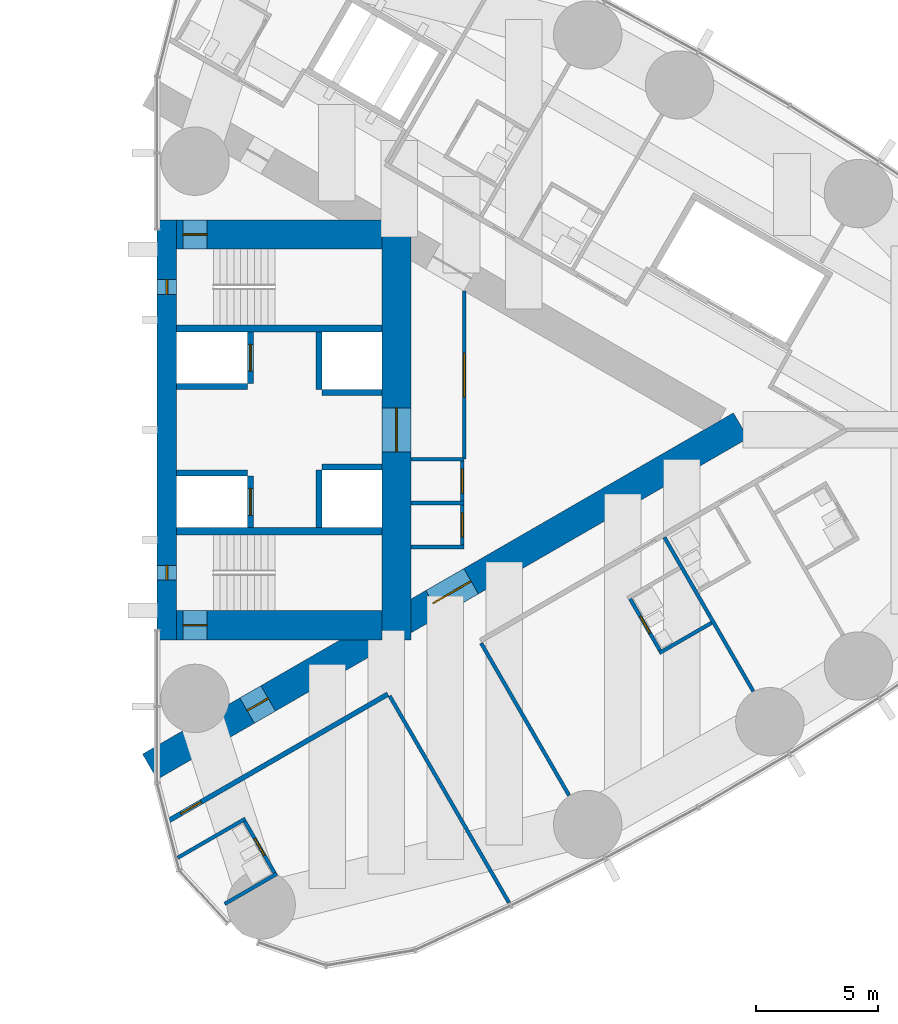
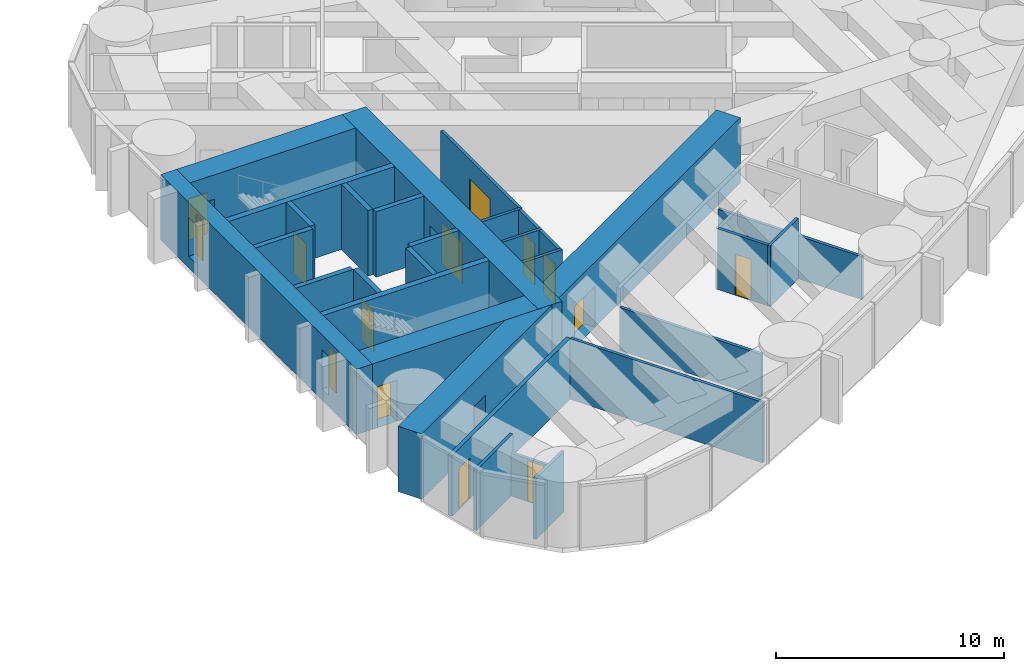
# One storey, part 14 of 19: 30 walls, 13 doors, 2 windows, 15 openings.
"""IFC4 building model written with IfcOpenShell, lengths in metres."""

from ifc_helpers import new_model, si_unit, direction, frame, frame_2d, origin, place, context, subcontext, project, spatial, rectangle, extrude, material, layer, layer_set, type_object, element, fill, save


model = new_model("IFC4")

# Units and contexts
model_context = context("Model", 3, precision=1e-05, world=origin(), true_north=direction((0.0, 1.0)))
body_context = subcontext(model_context, "Body", "Model", "MODEL_VIEW")
ifc_project = project(units=[si_unit("LENGTHUNIT", "METRE"), si_unit("AREAUNIT", "SQUARE_METRE"), si_unit("VOLUMEUNIT", "CUBIC_METRE"), si_unit("PLANEANGLEUNIT", "RADIAN"), si_unit("MASSUNIT", "GRAM", prefix="KILO")], contexts=[model_context])

# Site, building, storey
site_placement = place(None, origin())
site = spatial("IfcSite", under=ifc_project, at=site_placement, CompositionType="ELEMENT")
building_placement = place(site_placement, origin())
building = spatial("IfcBuilding", under=site, at=building_placement, Name="Lancet Gate Hotel", CompositionType="ELEMENT")
storey_placement = place(building_placement, frame((0.0, 0.0, 159.800048828125)))
storey = spatial("IfcBuildingStorey", under=building, at=storey_placement, Name="L42", CompositionType="ELEMENT", Elevation=159.800048828125)

# Wall
ifc_material_1 = material(Name="Moisture resistant board partition")
ifc_layer_1 = layer(ifc_material_1, 0.14990234375)
ifc_layer_set_1 = layer_set([ifc_layer_1], Name="Bathroom wall 150")
wall_type_1 = type_object("IfcWallType", Name="Bathroom wall 150", PredefinedType="PARTITIONING", material=ifc_layer_set_1)
wall_1_placement = place(storey_placement, frame((30.269287109375, -19.41796875, 0.0), z_axis=(0.0, 0.0, 1.0), x_axis=(0.866006523861, 0.500032699561, 0.0)))
element("IfcWall", 1, at=wall_1_placement, inside=storey, type_object=wall_type_1, Name="T2 bathroom wall 150 L42", PredefinedType="PARTITIONING", context=body_context, shape_type="SweptSolid", body=[
    extrude(rectangle(XDim=2.474853515625, YDim=0.14990234375, at=frame_2d((1.2373046875, 0.0))), origin(), (0.0, 0.0, 1.0), 3.25),
])

# Wall, opening, door
wall_2_placement = place(storey_placement, frame((31.0478515625, -15.96630859375, 0.0), z_axis=(0.0, 0.0, 1.0), x_axis=(0.499936506574, -0.866062058628, 0.0)))
wall_2 = element("IfcWall", 2, at=wall_2_placement, inside=storey, type_object=wall_type_1, Name="T2 bathroom wall 150 L42", PredefinedType="PARTITIONING", context=body_context, shape_type="SweptSolid", body=[
    extrude(rectangle(XDim=2.599853515625, YDim=0.14990234375, at=frame_2d((1.2998046875, 0.0))), origin(), (0.0, 0.0, 1.0), 2.300048828125),
])
opening_1_placement = place(wall_2_placement, frame((0.89990234375, 0.0, 0.0)))
opening_1 = element("IfcOpeningElement", 3, at=opening_1_placement, cuts=wall_2, Name="Opening 4251-B", PredefinedType="OPENING", context=body_context, shape_type="SweptSolid", body=[
    extrude(rectangle(XDim=0.800048828125, YDim=2.199951171875, at=frame_2d((0.39990234375, 1.10009765625))), frame((0.0, 0.0849609375, 0.0), z_axis=(0.0, -1.0, 0.0), x_axis=(1.0, 0.0, 0.0)), (0.0, 0.0, 1.0), 0.169921875),
])
ifc_material_2 = material(Name="Timber door set", Category="wood")
door_type_1 = type_object("IfcDoorType", Name="Bathroom door 800", OperationType="SINGLE_SWING_RIGHT", PredefinedType="DOOR", material=ifc_material_2)
door_1_placement = place(opening_1_placement, origin())
door_1 = element("IfcDoor", 4, at=door_1_placement, inside=storey, type_object=door_type_1, Name="4251-B", OperationType="SINGLE_SWING_RIGHT", OverallHeight=2.199951171875, OverallWidth=0.800048828125, PredefinedType="DOOR", context=body_context, shape_type="SweptSolid", body=[
    extrude(rectangle(XDim=0.800048828125, YDim=2.199951171875, at=frame_2d((0.39990234375, 1.10009765625))), frame((0.0, 0.02490234375, 0.0), z_axis=(0.0, -1.0, 0.0), x_axis=(1.0, 0.0, 0.0)), (0.0, 0.0, 1.0), 0.050048828125),
])
fill(opening_1, door_1)

# Walls
wall_3_placement = place(storey_placement, frame((28.34326171875, -17.52783203125, 0.0), z_axis=(0.0, 0.0, 1.0), x_axis=(0.86600760081, 0.500030834389, 0.0)))
element("IfcWall", 5, at=wall_3_placement, inside=storey, type_object=wall_type_1, Name="T2 bathroom wall 150 L42", PredefinedType="PARTITIONING", context=body_context, shape_type="SweptSolid", body=[
    extrude(rectangle(XDim=3.197998046875, YDim=0.14990234375, at=frame_2d((1.59912109375, 0.0))), origin(), (0.0, 0.0, 1.0), 3.25),
])
wall_4_placement = place(storey_placement, frame((48.06640625, -9.142822265625, 0.0), z_axis=(0.0, 0.0, 1.0), x_axis=(0.866006523861, 0.500032699561, 0.0)))
element("IfcWall", 6, at=wall_4_placement, inside=storey, type_object=wall_type_1, Name="T2 bathroom wall 150 L42", PredefinedType="PARTITIONING", context=body_context, shape_type="SweptSolid", body=[
    extrude(rectangle(XDim=2.474853515625, YDim=0.14990234375, at=frame_2d((1.2373046875, 0.0))), origin(), (0.0, 0.0, 1.0), 3.25),
])

# Wall, opening, door
wall_5_placement = place(storey_placement, frame((46.831298828125, -6.853759765625, 0.0), z_axis=(0.0, 0.0, 1.0), x_axis=(0.500006934395, -0.866021400173, 0.0)))
wall_5 = element("IfcWall", 7, at=wall_5_placement, inside=storey, type_object=wall_type_1, Name="T2 bathroom wall 150 L42", PredefinedType="PARTITIONING", context=body_context, shape_type="SweptSolid", body=[
    extrude(rectangle(XDim=2.60009765625, YDim=0.14990234375, at=frame_2d((1.300048828125, 0.0))), origin(), (0.0, 0.0, 1.0), 3.25),
])
opening_2_placement = place(wall_5_placement, frame((0.89990234375, 0.0, 0.0)))
opening_2 = element("IfcOpeningElement", 8, at=opening_2_placement, cuts=wall_5, Name="Opening 4254-B", PredefinedType="OPENING", context=body_context, shape_type="SweptSolid", body=[
    extrude(rectangle(XDim=0.800048828125, YDim=2.199951171875, at=frame_2d((0.39990234375, 1.10009765625))), frame((0.0, 0.0849609375, 0.0), z_axis=(0.0, -1.0, 0.0), x_axis=(1.0, 0.0, 0.0)), (0.0, 0.0, 1.0), 0.169921875),
])
door_2_placement = place(opening_2_placement, origin())
door_2 = element("IfcDoor", 9, at=door_2_placement, inside=storey, type_object=door_type_1, Name="4254-B", OperationType="SINGLE_SWING_RIGHT", OverallHeight=2.199951171875, OverallWidth=0.800048828125, PredefinedType="DOOR", context=body_context, shape_type="SweptSolid", body=[
    extrude(rectangle(XDim=0.800048828125, YDim=2.199951171875, at=frame_2d((0.39990234375, 1.10009765625))), frame((0.0, 0.02490234375, 0.0), z_axis=(0.0, -1.0, 0.0), x_axis=(1.0, 0.0, 0.0)), (0.0, 0.0, 1.0), 0.050048828125),
])
fill(opening_2, door_2)

# Wall, openings, doors
ifc_material_3 = material(Name="Concrete C70/85", Category="concrete")
ifc_layer_2 = layer(ifc_material_3, 1.199951171875)
ifc_layer_set_2 = layer_set([ifc_layer_2], Name="Buttress wall 1200")
wall_type_2 = type_object("IfcWallType", Name="Buttress wall 1200", PredefinedType="SHEAR", material=ifc_layer_set_2)
wall_6_placement = place(storey_placement, frame((27.199951171875, -13.800048828125, 0.0), z_axis=(0.0, 0.0, 1.0), x_axis=(0.866027159892, 0.499996958321, 0.0)))
wall_6 = element("IfcWall", 10, at=wall_6_placement, inside=storey, type_object=wall_type_2, Name="T2 buttress wall S L42", PredefinedType="SHEAR", context=body_context, shape_type="SweptSolid", body=[
    extrude(rectangle(XDim=27.946533203125, YDim=1.199951171875, at=frame_2d((13.97314453125, 0.0))), origin(), (0.0, 0.0, 1.0), 3.5),
])
opening_3_placement = place(wall_6_placement, frame((4.60009765625, 0.0, 0.0)))
opening_3 = element("IfcOpeningElement", 11, at=opening_3_placement, cuts=wall_6, Name="Opening T2-L42-LS", PredefinedType="OPENING", context=body_context, shape_type="SweptSolid", body=[
    extrude(rectangle(XDim=1.0, YDim=2.199951171875, at=frame_2d((0.5, 1.10009765625))), frame((0.0, 0.60986328125, 0.0), z_axis=(0.0, -1.0, 0.0), x_axis=(1.0, 0.0, 0.0)), (0.0, 0.0, 1.0), 1.219970703125),
])
opening_4_placement = place(wall_6_placement, frame((13.39453125, 0.0, 0.0)))
opening_4 = element("IfcOpeningElement", 12, at=opening_4_placement, cuts=wall_6, Name="Opening T2-L42-LHS", PredefinedType="OPENING", context=body_context, shape_type="SweptSolid", body=[
    extrude(rectangle(XDim=1.800048828125, YDim=2.199951171875, at=frame_2d((0.89990234375, 1.10009765625))), frame((0.0, 0.60986328125, 0.0), z_axis=(0.0, -1.0, 0.0), x_axis=(1.0, 0.0, 0.0)), (0.0, 0.0, 1.0), 1.219970703125),
])
ifc_material_4 = material(Name="Timber door set", Category="wood")
door_type_2 = type_object("IfcDoorType", Name="Lobby double door 1800", OperationType="DOUBLE_DOOR_SINGLE_SWING", PredefinedType="DOOR", material=ifc_material_4)
door_3_placement = place(opening_4_placement, origin())
door_3 = element("IfcDoor", 13, at=door_3_placement, inside=storey, type_object=door_type_2, Name="T2-L42-LHS", OperationType="DOUBLE_DOOR_SINGLE_SWING", OverallHeight=2.199951171875, OverallWidth=1.800048828125, PredefinedType="DOOR", context=body_context, shape_type="SweptSolid", body=[
    extrude(rectangle(XDim=1.800048828125, YDim=2.199951171875, at=frame_2d((0.89990234375, 1.10009765625))), frame((0.0, 0.02490234375, 0.0), z_axis=(0.0, -1.0, 0.0), x_axis=(1.0, 0.0, 0.0)), (0.0, 0.0, 1.0), 0.050048828125),
])
fill(opening_4, door_3)
ifc_material_5 = material(Name="Timber door set", Category="wood")
door_type_3 = type_object("IfcDoorType", Name="Stair lobby door 1000", OperationType="SINGLE_SWING_LEFT", PredefinedType="DOOR", material=ifc_material_5)
door_4_placement = place(opening_3_placement, origin())
door_4 = element("IfcDoor", 14, at=door_4_placement, inside=storey, type_object=door_type_3, Name="T2-L42-LS", OperationType="SINGLE_SWING_LEFT", OverallHeight=2.199951171875, OverallWidth=1.0, PredefinedType="DOOR", context=body_context, shape_type="SweptSolid", body=[
    extrude(rectangle(XDim=1.0, YDim=2.199951171875, at=frame_2d((0.5, 1.10009765625))), frame((0.0, 0.02490234375, 0.0), z_axis=(0.0, -1.0, 0.0), x_axis=(1.0, 0.0, 0.0)), (0.0, 0.0, 1.0), 0.050048828125),
])
fill(opening_3, door_4)

# Wall, opening, door
ifc_material_6 = material(Name="Concrete C70/85", Category="concrete")
ifc_layer_3 = layer(ifc_material_6, 1.199951171875)
ifc_layer_set_3 = layer_set([ifc_layer_3], Name="Core wall 1200")
wall_type_3 = type_object("IfcWallType", Name="Core wall 1200", PredefinedType="SHEAR", material=ifc_layer_set_3)
wall_7_placement = place(storey_placement, frame((37.300048828125, -8.60009765625, 0.0), z_axis=(0.0, 0.0, 1.0), x_axis=(0.0, 1.0, 0.0)))
wall_7 = element("IfcWall", 15, at=wall_7_placement, inside=storey, type_object=wall_type_3, Name="T2 core wall back L42", PredefinedType="SHEAR", context=body_context, shape_type="SweptSolid", body=[
    extrude(rectangle(XDim=17.2001953125, YDim=1.199951171875, at=frame_2d((8.60009765625, 0.0))), origin(), (0.0, 0.0, 1.0), 3.5),
])
opening_5_placement = place(wall_7_placement, frame((7.699951171875, 0.0, 0.0)))
opening_5 = element("IfcOpeningElement", 16, at=opening_5_placement, cuts=wall_7, Name="Opening T2-L42-LL", PredefinedType="OPENING", context=body_context, shape_type="SweptSolid", body=[
    extrude(rectangle(XDim=1.800048828125, YDim=2.199951171875, at=frame_2d((0.89990234375, 1.10009765625))), frame((0.0, 0.60986328125, 0.0), z_axis=(0.0, -1.0, 0.0), x_axis=(1.0, 0.0, 0.0)), (0.0, 0.0, 1.0), 1.219970703125),
])
door_5_placement = place(opening_5_placement, origin())
door_5 = element("IfcDoor", 17, at=door_5_placement, inside=storey, type_object=door_type_2, Name="T2-L42-LL", OperationType="DOUBLE_DOOR_SINGLE_SWING", OverallHeight=2.199951171875, OverallWidth=1.800048828125, PredefinedType="DOOR", context=body_context, shape_type="SweptSolid", body=[
    extrude(rectangle(XDim=1.800048828125, YDim=2.199951171875, at=frame_2d((0.89990234375, 1.10009765625))), frame((0.0, 0.02490234375, 0.0), z_axis=(0.0, -1.0, 0.0), x_axis=(1.0, 0.0, 0.0)), (0.0, 0.0, 1.0), 0.050048828125),
])
fill(opening_5, door_5)

wall_8_placement = place(storey_placement, frame((28.300048828125, -8.0, 0.0), z_axis=(0.0, 0.0, 1.0), x_axis=(1.0, 0.0, 0.0)))
wall_8 = element("IfcWall", 18, at=wall_8_placement, inside=storey, type_object=wall_type_3, Name="T2 core wall side-S L42", PredefinedType="SHEAR", context=body_context, shape_type="SweptSolid", body=[
    extrude(rectangle(XDim=8.39990234375, YDim=1.199951171875, at=frame_2d((4.199951171875, 0.0))), origin(), (0.0, 0.0, 1.0), 3.5),
])
opening_6_placement = place(wall_8_placement, frame((0.25, 0.0, 0.0)))
opening_6 = element("IfcOpeningElement", 19, at=opening_6_placement, cuts=wall_8, Name="Opening T2-L42-ST1", PredefinedType="OPENING", context=body_context, shape_type="SweptSolid", body=[
    extrude(rectangle(XDim=1.0, YDim=2.199951171875, at=frame_2d((0.5, 1.10009765625))), frame((0.0, 0.60986328125, 0.0), z_axis=(0.0, -1.0, 0.0), x_axis=(1.0, 0.0, 0.0)), (0.0, 0.0, 1.0), 1.219970703125),
])
ifc_material_7 = material(Name="Timber door set", Category="wood")
door_type_4 = type_object("IfcDoorType", Name="Stair door 1000", OperationType="SINGLE_SWING_RIGHT", PredefinedType="DOOR", material=ifc_material_7)
door_6_placement = place(opening_6_placement, origin())
door_6 = element("IfcDoor", 20, at=door_6_placement, inside=storey, type_object=door_type_4, Name="T2-L42-ST1", OperationType="SINGLE_SWING_RIGHT", OverallHeight=2.199951171875, OverallWidth=1.0, PredefinedType="DOOR", context=body_context, shape_type="SweptSolid", body=[
    extrude(rectangle(XDim=1.0, YDim=2.199951171875, at=frame_2d((0.5, 1.10009765625))), frame((0.0, 0.02490234375, 0.0), z_axis=(0.0, -1.0, 0.0), x_axis=(1.0, 0.0, 0.0)), (0.0, 0.0, 1.0), 0.050048828125),
])
fill(opening_6, door_6)

wall_9_placement = place(storey_placement, frame((28.300048828125, 8.0, 0.0), z_axis=(0.0, 0.0, 1.0), x_axis=(1.0, 0.0, 0.0)))
wall_9 = element("IfcWall", 21, at=wall_9_placement, inside=storey, type_object=wall_type_3, Name="T2 core wall side-N L42", PredefinedType="SHEAR", context=body_context, shape_type="SweptSolid", body=[
    extrude(rectangle(XDim=8.39990234375, YDim=1.199951171875, at=frame_2d((4.199951171875, 0.0))), origin(), (0.0, 0.0, 1.0), 3.5),
])
opening_7_placement = place(wall_9_placement, frame((0.25, 0.0, 0.0)))
opening_7 = element("IfcOpeningElement", 22, at=opening_7_placement, cuts=wall_9, Name="Opening T2-L42-ST2", PredefinedType="OPENING", context=body_context, shape_type="SweptSolid", body=[
    extrude(rectangle(XDim=1.0, YDim=2.199951171875, at=frame_2d((0.5, 1.10009765625))), frame((0.0, 0.60986328125, 0.0), z_axis=(0.0, -1.0, 0.0), x_axis=(1.0, 0.0, 0.0)), (0.0, 0.0, 1.0), 1.219970703125),
])
door_7_placement = place(opening_7_placement, origin())
door_7 = element("IfcDoor", 23, at=door_7_placement, inside=storey, type_object=door_type_4, Name="T2-L42-ST2", OperationType="SINGLE_SWING_RIGHT", OverallHeight=2.199951171875, OverallWidth=1.0, PredefinedType="DOOR", context=body_context, shape_type="SweptSolid", body=[
    extrude(rectangle(XDim=1.0, YDim=2.199951171875, at=frame_2d((0.5, 1.10009765625))), frame((0.0, 0.02490234375, 0.0), z_axis=(0.0, -1.0, 0.0), x_axis=(1.0, 0.0, 0.0)), (0.0, 0.0, 1.0), 0.050048828125),
])
fill(opening_7, door_7)

# Wall, openings, windows
ifc_material_8 = material(Name="Concrete C70/85", Category="concrete")
ifc_layer_4 = layer(ifc_material_8, 0.800048828125)
ifc_layer_set_4 = layer_set([ifc_layer_4], Name="Core wall 800")
wall_type_4 = type_object("IfcWallType", Name="Core wall 800", PredefinedType="SHEAR", material=ifc_layer_set_4)
wall_10_placement = place(storey_placement, frame((27.89990234375, -8.60009765625, 0.0), z_axis=(0.0, 0.0, 1.0), x_axis=(0.0, 1.0, 0.0)))
wall_10 = element("IfcWall", 24, at=wall_10_placement, inside=storey, type_object=wall_type_4, Name="T2 core wall front L42", PredefinedType="SHEAR", context=body_context, shape_type="SweptSolid", body=[
    extrude(rectangle(XDim=17.2001953125, YDim=0.800048828125, at=frame_2d((8.60009765625, 0.0))), origin(), (0.0, 0.0, 1.0), 3.5),
])
opening_8_placement = place(wall_10_placement, frame((2.449951171875, 0.0, 0.60009765625)))
opening_8 = element("IfcOpeningElement", 25, at=opening_8_placement, cuts=wall_10, Name="Opening LW1", PredefinedType="OPENING", context=body_context, shape_type="SweptSolid", body=[
    extrude(rectangle(XDim=0.60009765625, YDim=2.10009765625, at=frame_2d((0.300048828125, 1.050048828125))), frame((0.0, 0.409912109375, 0.0), z_axis=(0.0, -1.0, 0.0), x_axis=(1.0, 0.0, 0.0)), (0.0, 0.0, 1.0), 0.820068359375),
])
opening_9_placement = place(wall_10_placement, frame((14.14990234375, 0.0, 0.60009765625)))
opening_9 = element("IfcOpeningElement", 26, at=opening_9_placement, cuts=wall_10, Name="Opening LW1", PredefinedType="OPENING", context=body_context, shape_type="SweptSolid", body=[
    extrude(rectangle(XDim=0.60009765625, YDim=2.10009765625, at=frame_2d((0.300048828125, 1.050048828125))), frame((0.0, 0.409912109375, 0.0), z_axis=(0.0, -1.0, 0.0), x_axis=(1.0, 0.0, 0.0)), (0.0, 0.0, 1.0), 0.820068359375),
])
ifc_material_9 = material(Name="Fire-resisting glazed steel window", Category="steel")
window_type = type_object("IfcWindowType", Name="Lancet window 600x2100", PartitioningType="SINGLE_PANEL", PredefinedType="WINDOW", material=ifc_material_9)
window_1_placement = place(opening_8_placement, origin())
window_1 = element("IfcWindow", 27, at=window_1_placement, inside=storey, type_object=window_type, Name="T2 stair window S L42", OverallHeight=2.10009765625, OverallWidth=0.60009765625, PartitioningType="SINGLE_PANEL", PredefinedType="WINDOW", context=body_context, shape_type="SweptSolid", body=[
    extrude(rectangle(XDim=0.60009765625, YDim=2.10009765625, at=frame_2d((0.300048828125, 1.050048828125))), frame((0.0, 0.030029296875, 0.0), z_axis=(0.0, -1.0, 0.0), x_axis=(1.0, 0.0, 0.0)), (0.0, 0.0, 1.0), 0.06005859375),
])
fill(opening_8, window_1)
window_2_placement = place(opening_9_placement, origin())
window_2 = element("IfcWindow", 28, at=window_2_placement, inside=storey, type_object=window_type, Name="T2 stair window N L42", OverallHeight=2.10009765625, OverallWidth=0.60009765625, PartitioningType="SINGLE_PANEL", PredefinedType="WINDOW", context=body_context, shape_type="SweptSolid", body=[
    extrude(rectangle(XDim=0.60009765625, YDim=2.10009765625, at=frame_2d((0.300048828125, 1.050048828125))), frame((0.0, 0.030029296875, 0.0), z_axis=(0.0, -1.0, 0.0), x_axis=(1.0, 0.0, 0.0)), (0.0, 0.0, 1.0), 0.06005859375),
])
fill(opening_9, window_2)

# Wall, opening, door
ifc_material_10 = material(Name="Gypsum board partition")
ifc_layer_5 = layer(ifc_material_10, 0.199951171875)
ifc_layer_set_5 = layer_set([ifc_layer_5], Name="Corridor wall 200")
wall_type_5 = type_object("IfcWallType", Name="Corridor wall 200", PredefinedType="PARTITIONING", material=ifc_layer_set_5)
wall_11_placement = place(storey_placement, frame((27.95947265625, -16.017333984375, 0.0), z_axis=(0.0, 0.0, 1.0), x_axis=(0.866026201739, 0.499998617899, 0.0)))
wall_11 = element("IfcWall", 29, at=wall_11_placement, inside=storey, type_object=wall_type_5, Name="T2 corridor wall 200 L42", PredefinedType="PARTITIONING", context=body_context, shape_type="SweptSolid", body=[
    extrude(rectangle(XDim=10.3818359375, YDim=0.199951171875, at=frame_2d((5.19091796875, 0.0))), origin(), (0.0, 0.0, 1.0), 3.25),
])
opening_10_placement = place(wall_11_placement, frame((0.60009765625, 0.0, 0.0)))
opening_10 = element("IfcOpeningElement", 30, at=opening_10_placement, cuts=wall_11, Name="Opening 4251-E", PredefinedType="OPENING", context=body_context, shape_type="SweptSolid", body=[
    extrude(rectangle(XDim=0.949951171875, YDim=2.199951171875, at=frame_2d((0.47509765625, 1.10009765625))), frame((0.0, 0.10986328125, 0.0), z_axis=(0.0, -1.0, 0.0), x_axis=(1.0, 0.0, 0.0)), (0.0, 0.0, 1.0), 0.219970703125),
])
ifc_material_11 = material(Name="Timber door set", Category="wood")
door_type_5 = type_object("IfcDoorType", Name="Guest room entry door 950", OperationType="SINGLE_SWING_LEFT", PredefinedType="DOOR", material=ifc_material_11)
door_8_placement = place(opening_10_placement, origin())
door_8 = element("IfcDoor", 31, at=door_8_placement, inside=storey, type_object=door_type_5, Name="4251-E", OperationType="SINGLE_SWING_LEFT", OverallHeight=2.199951171875, OverallWidth=0.949951171875, PredefinedType="DOOR", context=body_context, shape_type="SweptSolid", body=[
    extrude(rectangle(XDim=0.949951171875, YDim=2.199951171875, at=frame_2d((0.47509765625, 1.10009765625))), frame((0.0, 0.02490234375, 0.0), z_axis=(0.0, -1.0, 0.0), x_axis=(1.0, 0.0, 0.0)), (0.0, 0.0, 1.0), 0.050048828125),
])
fill(opening_10, door_8)

ifc_material_12 = material(Name="Concrete C50/60", Category="concrete")
ifc_layer_6 = layer(ifc_material_12, 0.25)
ifc_layer_set_6 = layer_set([ifc_layer_6], Name="Lift shaft wall 250")
wall_type_6 = type_object("IfcWallType", Name="Lift shaft wall 250", PredefinedType="SHEAR", material=ifc_layer_set_6)
wall_12_placement = place(storey_placement, frame((31.324951171875, -4.0, 0.0), z_axis=(0.0, 0.0, 1.0), x_axis=(0.0, 1.0, 0.0)))
wall_12 = element("IfcWall", 32, at=wall_12_placement, inside=storey, type_object=wall_type_6, Name="T2 core wall row1-S L42", PredefinedType="SHEAR", context=body_context, shape_type="SweptSolid", body=[
    extrude(rectangle(XDim=2.10009765625, YDim=0.25, at=frame_2d((1.050048828125, 0.0))), origin(), (0.0, 0.0, 1.0), 3.5),
])
opening_11_placement = place(wall_12_placement, frame((0.5, 0.0, 0.0)))
opening_11 = element("IfcOpeningElement", 33, at=opening_11_placement, cuts=wall_12, Name="Opening T2-SL1-L42", PredefinedType="OPENING", context=body_context, shape_type="SweptSolid", body=[
    extrude(rectangle(XDim=1.10009765625, YDim=2.199951171875, at=frame_2d((0.550048828125, 1.10009765625))), frame((0.0, 0.135009765625, 0.0), z_axis=(0.0, -1.0, 0.0), x_axis=(1.0, 0.0, 0.0)), (0.0, 0.0, 1.0), 0.27001953125),
])
ifc_material_13 = material(Name="Timber door set", Category="wood")
door_type_6 = type_object("IfcDoorType", Name="Service lift landing door 1100", OperationType="SLIDING_TO_LEFT", PredefinedType="USERDEFINED", material=ifc_material_13)
door_9_placement = place(opening_11_placement, origin())
door_9 = element("IfcDoor", 34, at=door_9_placement, inside=storey, type_object=door_type_6, Name="T2-SL1-L42", ObjectType="LIFT LANDING DOOR", OperationType="SLIDING_TO_LEFT", OverallHeight=2.199951171875, OverallWidth=1.10009765625, PredefinedType="USERDEFINED", context=body_context, shape_type="SweptSolid", body=[
    extrude(rectangle(XDim=1.10009765625, YDim=2.199951171875, at=frame_2d((0.550048828125, 1.10009765625))), frame((0.0, 0.02490234375, 0.0), z_axis=(0.0, -1.0, 0.0), x_axis=(1.0, 0.0, 0.0)), (0.0, 0.0, 1.0), 0.050048828125),
])
fill(opening_11, door_9)

# Walls
wall_13_placement = place(storey_placement, frame((34.125, -4.0, 0.0), z_axis=(0.0, 0.0, 1.0), x_axis=(0.0, 1.0, 0.0)))
element("IfcWall", 35, at=wall_13_placement, inside=storey, type_object=wall_type_6, Name="T2 core wall row2-S L42", PredefinedType="SHEAR", context=body_context, shape_type="SweptSolid", body=[
    extrude(rectangle(XDim=2.35009765625, YDim=0.25, at=frame_2d((1.175048828125, 0.0))), origin(), (0.0, 0.0, 1.0), 3.5),
])
wall_14_placement = place(storey_placement, frame((28.300048828125, -1.77490234375, 0.0), z_axis=(0.0, 0.0, 1.0), x_axis=(1.0, 0.0, 0.0)))
element("IfcWall", 36, at=wall_14_placement, inside=storey, type_object=wall_type_6, Name="T2 core wall pass1-S L42", PredefinedType="SHEAR", context=body_context, shape_type="SweptSolid", body=[
    extrude(rectangle(XDim=2.89990234375, YDim=0.25, at=frame_2d((1.449951171875, 0.0))), origin(), (0.0, 0.0, 1.0), 3.5),
])
wall_15_placement = place(storey_placement, frame((34.25, -1.52490234375, 0.0), z_axis=(0.0, 0.0, 1.0), x_axis=(1.0, 0.0, 0.0)))
element("IfcWall", 37, at=wall_15_placement, inside=storey, type_object=wall_type_6, Name="T2 core wall pass2-S L42", PredefinedType="SHEAR", context=body_context, shape_type="SweptSolid", body=[
    extrude(rectangle(XDim=2.449951171875, YDim=0.25, at=frame_2d((1.22509765625, 0.0))), origin(), (0.0, 0.0, 1.0), 3.5),
])

# Wall, opening, door
wall_16_placement = place(storey_placement, frame((31.324951171875, 1.89990234375, 0.0), z_axis=(0.0, 0.0, 1.0), x_axis=(0.0, 1.0, 0.0)))
wall_16 = element("IfcWall", 38, at=wall_16_placement, inside=storey, type_object=wall_type_6, Name="T2 core wall row1-N L42", PredefinedType="SHEAR", context=body_context, shape_type="SweptSolid", body=[
    extrude(rectangle(XDim=2.10009765625, YDim=0.25, at=frame_2d((1.050048828125, 0.0))), origin(), (0.0, 0.0, 1.0), 3.5),
])
opening_12_placement = place(wall_16_placement, frame((0.5, 0.0, 0.0)))
opening_12 = element("IfcOpeningElement", 39, at=opening_12_placement, cuts=wall_16, Name="Opening T2-FL2-L42", PredefinedType="OPENING", context=body_context, shape_type="SweptSolid", body=[
    extrude(rectangle(XDim=1.10009765625, YDim=2.199951171875, at=frame_2d((0.550048828125, 1.10009765625))), frame((0.0, 0.135009765625, 0.0), z_axis=(0.0, -1.0, 0.0), x_axis=(1.0, 0.0, 0.0)), (0.0, 0.0, 1.0), 0.27001953125),
])
ifc_material_14 = material(Name="Steel door set", Category="steel")
door_type_7 = type_object("IfcDoorType", Name="Firefighting lift landing door 1100", OperationType="SLIDING_TO_LEFT", PredefinedType="USERDEFINED", material=ifc_material_14)
door_10_placement = place(opening_12_placement, origin())
door_10 = element("IfcDoor", 40, at=door_10_placement, inside=storey, type_object=door_type_7, Name="T2-FL2-L42", ObjectType="LIFT LANDING DOOR", OperationType="SLIDING_TO_LEFT", OverallHeight=2.199951171875, OverallWidth=1.10009765625, PredefinedType="USERDEFINED", context=body_context, shape_type="SweptSolid", body=[
    extrude(rectangle(XDim=1.10009765625, YDim=2.199951171875, at=frame_2d((0.550048828125, 1.10009765625))), frame((0.0, 0.02490234375, 0.0), z_axis=(0.0, -1.0, 0.0), x_axis=(1.0, 0.0, 0.0)), (0.0, 0.0, 1.0), 0.050048828125),
])
fill(opening_12, door_10)

# Walls
wall_17_placement = place(storey_placement, frame((34.125, 1.64990234375, 0.0), z_axis=(0.0, 0.0, 1.0), x_axis=(0.0, 1.0, 0.0)))
element("IfcWall", 41, at=wall_17_placement, inside=storey, type_object=wall_type_6, Name="T2 core wall row2-N L42", PredefinedType="SHEAR", context=body_context, shape_type="SweptSolid", body=[
    extrude(rectangle(XDim=2.35009765625, YDim=0.25, at=frame_2d((1.175048828125, 0.0))), origin(), (0.0, 0.0, 1.0), 3.5),
])
wall_18_placement = place(storey_placement, frame((28.300048828125, 1.77490234375, 0.0), z_axis=(0.0, 0.0, 1.0), x_axis=(1.0, 0.0, 0.0)))
element("IfcWall", 42, at=wall_18_placement, inside=storey, type_object=wall_type_6, Name="T2 core wall pass1-N L42", PredefinedType="SHEAR", context=body_context, shape_type="SweptSolid", body=[
    extrude(rectangle(XDim=2.89990234375, YDim=0.25, at=frame_2d((1.449951171875, 0.0))), origin(), (0.0, 0.0, 1.0), 3.5),
])
wall_19_placement = place(storey_placement, frame((34.25, 1.52490234375, 0.0), z_axis=(0.0, 0.0, 1.0), x_axis=(1.0, 0.0, 0.0)))
element("IfcWall", 43, at=wall_19_placement, inside=storey, type_object=wall_type_6, Name="T2 core wall pass2-N L42", PredefinedType="SHEAR", context=body_context, shape_type="SweptSolid", body=[
    extrude(rectangle(XDim=2.449951171875, YDim=0.25, at=frame_2d((1.22509765625, 0.0))), origin(), (0.0, 0.0, 1.0), 3.5),
])
ifc_material_15 = material(Name="Gypsum board partition")
ifc_layer_7 = layer(ifc_material_15, 0.14990234375)
ifc_layer_set_7 = layer_set([ifc_layer_7], Name="Party wall 150")
wall_type_7 = type_object("IfcWallType", Name="Party wall 150", PredefinedType="PARTITIONING", material=ifc_layer_set_7)
wall_20_placement = place(storey_placement, frame((37.022216796875, -10.900390625, 0.0), z_axis=(0.0, 0.0, 1.0), x_axis=(0.499998620953, -0.866026199976, 0.0)))
element("IfcWall", 44, at=wall_20_placement, inside=storey, type_object=wall_type_7, Name="T2 party wall 150 L42", PredefinedType="PARTITIONING", context=body_context, shape_type="SweptSolid", body=[
    extrude(rectangle(XDim=9.76953125, YDim=0.14990234375, at=frame_2d((4.884765625, 0.0))), origin(), (0.0, 0.0, 1.0), 3.25),
])
wall_21_placement = place(storey_placement, frame((40.769287109375, -8.737060546875, 0.0), z_axis=(0.0, 0.0, 1.0), x_axis=(0.500013115284, -0.866017831539, 0.0)))
element("IfcWall", 45, at=wall_21_placement, inside=storey, type_object=wall_type_7, Name="T2 party wall 150 L42", PredefinedType="PARTITIONING", context=body_context, shape_type="SweptSolid", body=[
    extrude(rectangle(XDim=7.197998046875, YDim=0.14990234375, at=frame_2d((3.59912109375, 0.0))), origin(), (0.0, 0.0, 1.0), 2.300048828125),
])
wall_22_placement = place(storey_placement, frame((48.274658203125, -4.40380859375, 0.0), z_axis=(0.0, 0.0, 1.0), x_axis=(0.500006004368, -0.866021937133, 0.0)))
element("IfcWall", 46, at=wall_22_placement, inside=storey, type_object=wall_type_7, Name="T2 party wall 150 L42", PredefinedType="PARTITIONING", context=body_context, shape_type="SweptSolid", body=[
    extrude(rectangle(XDim=7.279296875, YDim=0.14990234375, at=frame_2d((3.6396484375, 0.0))), origin(), (0.0, 0.0, 1.0), 2.300048828125),
])
ifc_material_16 = material(Name="Gypsum board partition")
ifc_layer_8 = layer(ifc_material_16, 0.14990234375)
ifc_layer_set_8 = layer_set([ifc_layer_8], Name="Service room wall 150")
wall_type_8 = type_object("IfcWallType", Name="Service room wall 150", PredefinedType="PARTITIONING", material=ifc_layer_set_8)
for number, where, z_axis, x_axis, name in (
    (47, (37.89990234375, -1.199951171875, 0.0), (0.0, 0.0, 1.0), (1.0, 0.0, 0.0), "T2 service room wall 150 L42"),
    (48, (37.89990234375, -3.0, 0.0), (0.0, 0.0, 1.0), (1.0, 0.0, 0.0), "T2 service room wall 150 L42"),
    (49, (37.89990234375, -4.800048828125, 0.0), (0.0, 0.0, 1.0), (1.0, 0.0, 0.0), "T2 service room wall 150 L42"),
):
    element("IfcWall", number, at=place(storey_placement, frame(where, z_axis=z_axis, x_axis=x_axis)), inside=storey, type_object=wall_type_8, Name=name, PredefinedType="PARTITIONING", context=body_context, shape_type="SweptSolid", body=[
        extrude(rectangle(XDim=2.175048828125, YDim=0.14990234375, at=frame_2d((1.08740234375, 0.0))), origin(), (0.0, 0.0, 1.0), 3.25),
    ])

# Wall, opening, door
wall_23_placement = place(storey_placement, frame((40.0, -3.074951171875, 0.0), z_axis=(0.0, 0.0, 1.0), x_axis=(0.0, 1.0, 0.0)))
wall_23 = element("IfcWall", 50, at=wall_23_placement, inside=storey, type_object=wall_type_8, Name="T2 service room wall 150 L42", PredefinedType="PARTITIONING", context=body_context, shape_type="SweptSolid", body=[
    extrude(rectangle(XDim=1.949951171875, YDim=0.14990234375, at=frame_2d((0.97509765625, 0.0))), origin(), (0.0, 0.0, 1.0), 3.25),
])
opening_13_placement = place(wall_23_placement, frame((0.47509765625, 0.0, 0.0)))
opening_13 = element("IfcOpeningElement", 51, at=opening_13_placement, cuts=wall_23, Name="Opening T2-L42-HRS0", PredefinedType="OPENING", context=body_context, shape_type="SweptSolid", body=[
    extrude(rectangle(XDim=1.0, YDim=2.199951171875, at=frame_2d((0.5, 1.10009765625))), frame((0.0, 0.0849609375, 0.0), z_axis=(0.0, -1.0, 0.0), x_axis=(1.0, 0.0, 0.0)), (0.0, 0.0, 1.0), 0.169921875),
])
ifc_material_17 = material(Name="Timber door set", Category="wood")
door_type_8 = type_object("IfcDoorType", Name="Service door 1000", OperationType="SINGLE_SWING_LEFT", PredefinedType="DOOR", material=ifc_material_17)
door_11_placement = place(opening_13_placement, origin())
door_11 = element("IfcDoor", 52, at=door_11_placement, inside=storey, type_object=door_type_8, Name="T2-L42-HRS0", OperationType="SINGLE_SWING_LEFT", OverallHeight=2.199951171875, OverallWidth=1.0, PredefinedType="DOOR", context=body_context, shape_type="SweptSolid", body=[
    extrude(rectangle(XDim=1.0, YDim=2.199951171875, at=frame_2d((0.5, 1.10009765625))), frame((0.0, 0.02490234375, 0.0), z_axis=(0.0, -1.0, 0.0), x_axis=(1.0, 0.0, 0.0)), (0.0, 0.0, 1.0), 0.050048828125),
])
fill(opening_13, door_11)

wall_24_placement = place(storey_placement, frame((40.0, -4.875, 0.0), z_axis=(0.0, 0.0, 1.0), x_axis=(0.0, 1.0, 0.0)))
wall_24 = element("IfcWall", 53, at=wall_24_placement, inside=storey, type_object=wall_type_8, Name="T2 service room wall 150 L42", PredefinedType="PARTITIONING", context=body_context, shape_type="SweptSolid", body=[
    extrude(rectangle(XDim=1.949951171875, YDim=0.14990234375, at=frame_2d((0.97509765625, 0.0))), origin(), (0.0, 0.0, 1.0), 3.25),
])
opening_14_placement = place(wall_24_placement, frame((0.47509765625, 0.0, 0.0)))
opening_14 = element("IfcOpeningElement", 54, at=opening_14_placement, cuts=wall_24, Name="Opening T2-L42-HRS1", PredefinedType="OPENING", context=body_context, shape_type="SweptSolid", body=[
    extrude(rectangle(XDim=1.0, YDim=2.199951171875, at=frame_2d((0.5, 1.10009765625))), frame((0.0, 0.0849609375, 0.0), z_axis=(0.0, -1.0, 0.0), x_axis=(1.0, 0.0, 0.0)), (0.0, 0.0, 1.0), 0.169921875),
])
door_12_placement = place(opening_14_placement, origin())
door_12 = element("IfcDoor", 55, at=door_12_placement, inside=storey, type_object=door_type_8, Name="T2-L42-HRS1", OperationType="SINGLE_SWING_LEFT", OverallHeight=2.199951171875, OverallWidth=1.0, PredefinedType="DOOR", context=body_context, shape_type="SweptSolid", body=[
    extrude(rectangle(XDim=1.0, YDim=2.199951171875, at=frame_2d((0.5, 1.10009765625))), frame((0.0, 0.02490234375, 0.0), z_axis=(0.0, -1.0, 0.0), x_axis=(1.0, 0.0, 0.0)), (0.0, 0.0, 1.0), 0.050048828125),
])
fill(opening_14, door_12)

wall_25_placement = place(storey_placement, frame((40.074951171875, -1.199951171875, 0.0), z_axis=(0.0, 0.0, 1.0), x_axis=(0.0, 1.0, 0.0)))
wall_25 = element("IfcWall", 56, at=wall_25_placement, inside=storey, type_object=wall_type_8, Name="T2 service room wall 150 L42", PredefinedType="PARTITIONING", context=body_context, shape_type="SweptSolid", body=[
    extrude(rectangle(XDim=6.873779296875, YDim=0.14990234375, at=frame_2d((3.43701171875, 0.0))), origin(), (0.0, 0.0, 1.0), 3.25),
])
opening_15_placement = place(wall_25_placement, frame((2.536865234375, 0.0, 0.0)))
opening_15 = element("IfcOpeningElement", 57, at=opening_15_placement, cuts=wall_25, Name="Opening T2-L42-LH", PredefinedType="OPENING", context=body_context, shape_type="SweptSolid", body=[
    extrude(rectangle(XDim=1.800048828125, YDim=2.199951171875, at=frame_2d((0.89990234375, 1.10009765625))), frame((0.0, 0.0849609375, 0.0), z_axis=(0.0, -1.0, 0.0), x_axis=(1.0, 0.0, 0.0)), (0.0, 0.0, 1.0), 0.169921875),
])
door_13_placement = place(opening_15_placement, origin())
door_13 = element("IfcDoor", 58, at=door_13_placement, inside=storey, type_object=door_type_2, Name="T2-L42-LH", OperationType="DOUBLE_DOOR_SINGLE_SWING", OverallHeight=2.199951171875, OverallWidth=1.800048828125, PredefinedType="DOOR", context=body_context, shape_type="SweptSolid", body=[
    extrude(rectangle(XDim=1.800048828125, YDim=2.199951171875, at=frame_2d((0.89990234375, 1.10009765625))), frame((0.0, 0.02490234375, 0.0), z_axis=(0.0, -1.0, 0.0), x_axis=(1.0, 0.0, 0.0)), (0.0, 0.0, 1.0), 0.050048828125),
])
fill(opening_15, door_13)

# Walls
ifc_material_18 = material(Name="Concrete C50/60", Category="concrete")
ifc_layer_9 = layer(ifc_material_18, 0.300048828125)
ifc_layer_set_9 = layer_set([ifc_layer_9], Name="Stair enclosure wall 300")
wall_type_9 = type_object("IfcWallType", Name="Stair enclosure wall 300", PredefinedType="SHEAR", material=ifc_layer_set_9)
for number, where, z_axis, x_axis, name in (
    (59, (28.300048828125, -4.14990234375, 0.0), (0.0, 0.0, 1.0), (1.0, 0.0, 0.0), "T2 core wall stair-S L42"),
    (60, (28.300048828125, 4.14990234375, 0.0), (0.0, 0.0, 1.0), (1.0, 0.0, 0.0), "T2 core wall stair-N L42"),
):
    element("IfcWall", number, at=place(storey_placement, frame(where, z_axis=z_axis, x_axis=x_axis)), inside=storey, type_object=wall_type_9, Name=name, PredefinedType="SHEAR", context=body_context, shape_type="SweptSolid", body=[
        extrude(rectangle(XDim=8.39990234375, YDim=0.300048828125, at=frame_2d((4.199951171875, 0.0))), origin(), (0.0, 0.0, 1.0), 3.5),
    ])

save(model, "model.ifc")
